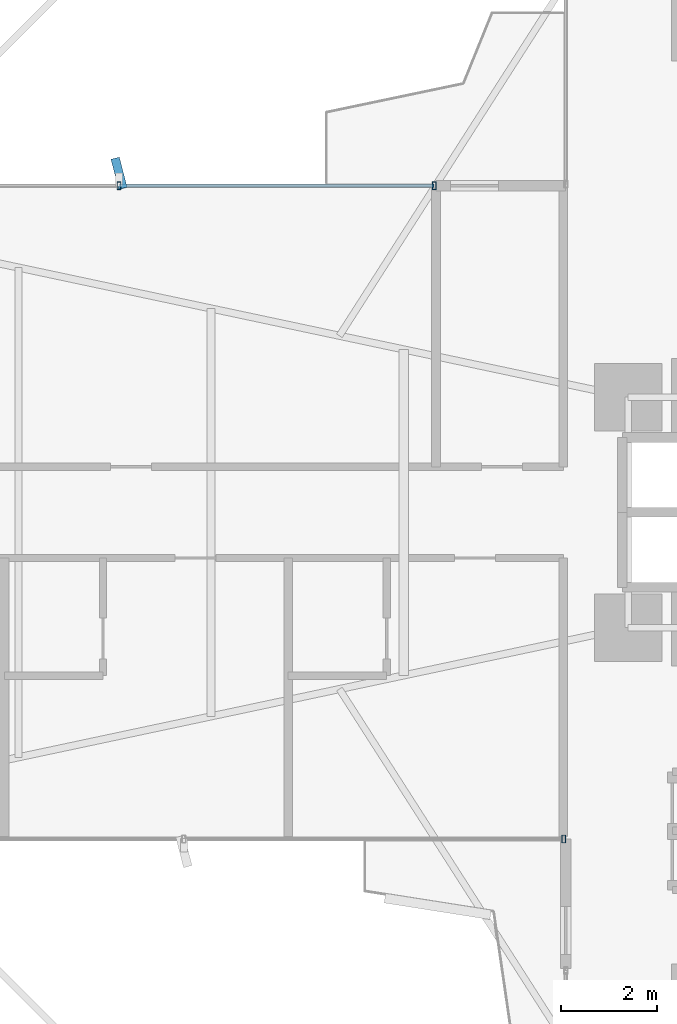
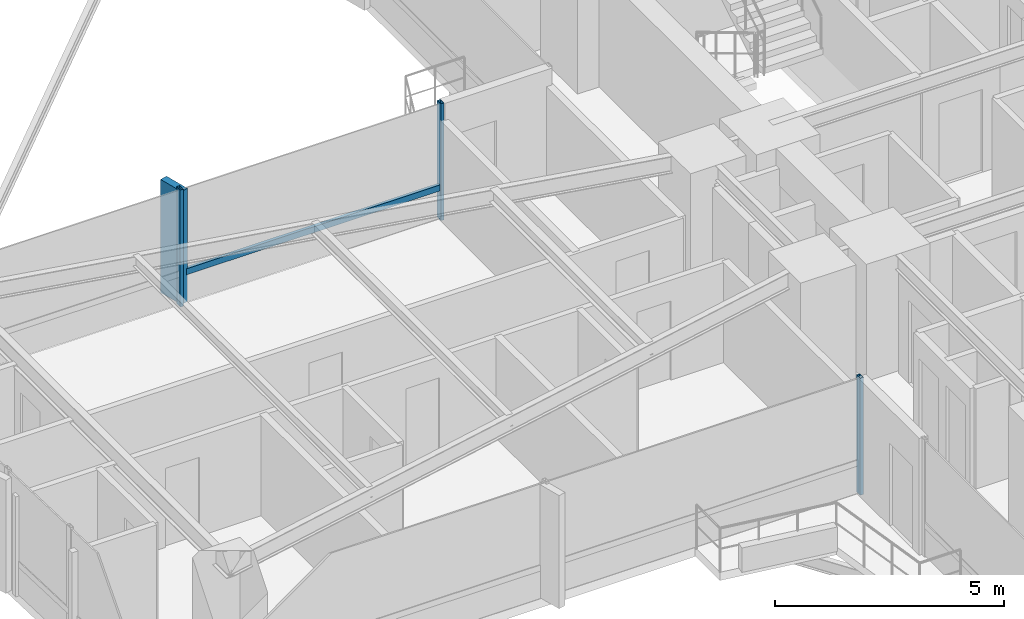
# One storey, part 10 of 25: 5 members, 2 elements without a shape of their own.
"""IFC4 building model written with IfcOpenShell, lengths in metres."""

import ifcopenshell
import ifcopenshell.guid

model = None  # the IFC model being written
_history = None  # IfcOwnerHistory: only IFC2X3 demands one
_inside = {}  # id of a spatial element -> (the spatial element, [elements in it])
_under = {}  # id of a project, library or spatial element -> (it, [spatial elements below it])
_declared = {}  # id of a project -> (the project, [libraries it declares])
_typed = {}  # id of a type object -> (the type object, [elements of that type])
_made_of = {}  # id of a material, layer set ... -> (it, [elements and type objects made of it])


def new_model(schema):
    """Start an empty IFC model of exactly this schema.

    Asked for "IFC4X3", IfcOpenShell would pick the latest addendum, in which some entities
    have other attributes; the version numbers below select the first issue.
    IFC2X3 requires an IfcOwnerHistory on every rooted entity: one is made here for all.
    """
    global model, _history
    if schema == "IFC4X3":
        model = ifcopenshell.file(schema_version=(4, 3, 0, 0))
    else:
        model = ifcopenshell.file(schema=schema)
    _inside.clear()
    _under.clear()
    _declared.clear()
    _typed.clear()
    _made_of.clear()
    _history = None
    if model.schema == "IFC2X3":
        org = make("IfcOrganization", Name="unknown")
        user = make(
            "IfcPersonAndOrganization",
            ThePerson=make("IfcPerson", FamilyName="unknown"),
            TheOrganization=org,
        )
        app = make(
            "IfcApplication",
            ApplicationDeveloper=org,
            Version="unknown",
            ApplicationFullName="unknown",
            ApplicationIdentifier="unknown",
        )
        _history = make(
            "IfcOwnerHistory",
            OwningUser=user,
            OwningApplication=app,
            ChangeAction="ADDED",
            CreationDate=0,
        )
    return model


def make(cls, **values):
    """One entity of the class cls with the attributes given. An attribute that is None is left unset."""
    return model.create_entity(
        cls, **{name: value for name, value in values.items() if value is not None}
    )


def rooted(cls, **values):
    """An entity with a GlobalId (a new one), such as an element, a storey or a relation."""
    return make(cls, GlobalId=ifcopenshell.guid.new(), OwnerHistory=_history, **values)


def si_unit(unit_type, name, prefix=None):
    """IfcSIUnit, for example si_unit("LENGTHUNIT", "METRE", prefix="MILLI")."""
    return make("IfcSIUnit", UnitType=unit_type, Prefix=prefix, Name=name)


def assignment(units):
    """IfcUnitAssignment: the units of a project."""
    return None if units is None else make("IfcUnitAssignment", Units=units)


def point(xyz):
    """IfcCartesianPoint."""
    return None if xyz is None else make("IfcCartesianPoint", Coordinates=xyz)


def direction(xyz):
    """IfcDirection."""
    return None if xyz is None else make("IfcDirection", DirectionRatios=xyz)


def frame(location, z_axis=None, x_axis=None):
    """IfcAxis2Placement3D, a coordinate frame: its origin and axes. An axis left out is left unset."""
    return make(
        "IfcAxis2Placement3D",
        Location=point(location),
        Axis=direction(z_axis),
        RefDirection=direction(x_axis),
    )


def frame_2d(location, x_axis=None):
    """IfcAxis2Placement2D, a coordinate frame in the plane: its origin and x axis."""
    return make(
        "IfcAxis2Placement2D", Location=point(location), RefDirection=direction(x_axis)
    )


def origin():
    """The frame at (0, 0, 0) with its axes left unset."""
    return frame((0.0, 0.0, 0.0))


def origin_2d():
    """The frame at (0, 0) in the plane with its x axis left unset."""
    return frame_2d((0.0, 0.0))


def place(relative_to, where):
    """IfcLocalPlacement: puts the frame where relative to a parent placement (None: the world)."""
    return make(
        "IfcLocalPlacement", PlacementRelTo=relative_to, RelativePlacement=where
    )


def context(
    kind, dimensions, precision=None, world=None, true_north=None, identifier=None
):
    """IfcGeometricRepresentationContext, for example the 3D "Model" context."""
    return make(
        "IfcGeometricRepresentationContext",
        ContextIdentifier=identifier,
        ContextType=kind,
        CoordinateSpaceDimension=dimensions,
        Precision=precision,
        WorldCoordinateSystem=world,
        TrueNorth=true_north,
    )


def subcontext(parent, identifier, kind, view, scale=None):
    """IfcGeometricRepresentationSubContext, for example "Body" below "Model"."""
    return make(
        "IfcGeometricRepresentationSubContext",
        ContextIdentifier=identifier,
        ContextType=kind,
        ParentContext=parent,
        TargetScale=scale,
        TargetView=view,
    )


def project(units=None, contexts=None):
    """IfcProject with its units and contexts."""
    return rooted(
        "IfcProject",
        Name="project",
        RepresentationContexts=contexts,
        UnitsInContext=assignment(units),
    )


def spatial(cls, under=None, at=None, **own):
    """A site, building, storey or space (cls), placed at a placement, below another one or the project."""
    s = rooted(cls, ObjectPlacement=at, **own)
    if under is not None:
        _under.setdefault(under.id(), (under, []))[1].append(s)
    return s


def profile(cls, at=None, kind="AREA", **sizes):
    """A parametric profile (cls). Its sizes go by their IFC names, for example OverallWidth=200.0."""
    return make(cls, ProfileType=kind, Position=at, **sizes)


def rectangle(**sizes):
    """IfcRectangleProfileDef."""
    return profile("IfcRectangleProfileDef", **sizes)


def hollow_rectangle(**sizes):
    """IfcRectangleHollowProfileDef."""
    return profile("IfcRectangleHollowProfileDef", **sizes)


def extrude(swept, where, along, depth):
    """IfcExtrudedAreaSolid: the profile swept, set in the frame where, extruded along a direction by depth."""
    return make(
        "IfcExtrudedAreaSolid",
        SweptArea=swept,
        Position=where,
        ExtrudedDirection=direction(along),
        Depth=depth,
    )


def shape(context_of_items, identifier, shape_type, items):
    """IfcShapeRepresentation: the items that make up one representation, for example the "Body"."""
    return make(
        "IfcShapeRepresentation",
        ContextOfItems=context_of_items,
        RepresentationIdentifier=identifier,
        RepresentationType=shape_type,
        Items=items,
    )


def source(mapping_origin, context_of_items, identifier, shape_type, items):
    """IfcRepresentationMap: a shape defined once, which mapped items show again and again."""
    return make(
        "IfcRepresentationMap",
        MappingOrigin=mapping_origin,
        MappedRepresentation=shape(context_of_items, identifier, shape_type, items),
    )


def transform(
    local_origin,
    x_axis=None,
    y_axis=None,
    z_axis=None,
    scale=None,
    scale2=None,
    scale3=None,
    uniform=True,
):
    """IfcCartesianTransformationOperator3D, or its non-uniform kind. x_axis, y_axis, z_axis: its Axis1, 2, 3."""
    if uniform:
        return make(
            "IfcCartesianTransformationOperator3D",
            Axis1=direction(x_axis),
            Axis2=direction(y_axis),
            LocalOrigin=point(local_origin),
            Scale=scale,
            Axis3=direction(z_axis),
        )
    return make(
        "IfcCartesianTransformationOperator3DnonUniform",
        Axis1=direction(x_axis),
        Axis2=direction(y_axis),
        LocalOrigin=point(local_origin),
        Scale=scale,
        Axis3=direction(z_axis),
        Scale2=scale2,
        Scale3=scale3,
    )


def mapped(mapping_source, mapping_target):
    """IfcMappedItem: shows the shape of a source again, moved by a transform."""
    return make(
        "IfcMappedItem", MappingSource=mapping_source, MappingTarget=mapping_target
    )


def material(Name=None, Category=None):
    """IfcMaterial."""
    return make("IfcMaterial", Name=Name, Category=Category)


def material_profile(
    of_material, cross_section, Name=None, Category=None, Priority=None
):
    """IfcMaterialProfile: a cross section and its material."""
    return make(
        "IfcMaterialProfile",
        Name=Name,
        Material=of_material,
        Profile=cross_section,
        Priority=Priority,
        Category=Category,
    )


def profile_set(profiles, Name=None, composite=None):
    """IfcMaterialProfileSet."""
    return make(
        "IfcMaterialProfileSet",
        Name=Name,
        MaterialProfiles=profiles,
        CompositeProfile=composite,
    )


def made_of(thing, what):
    """Note that an element or type object is made of a material, layer set ...; save() writes the relation."""
    if what is not None:
        _made_of.setdefault(what.id(), (what, []))[1].append(thing)
    return thing


def type_object(cls, material=None, **own):
    """A type object (cls), such as IfcWallType, which elements share."""
    return made_of(rooted(cls, **own), material)


def element(
    cls,
    number,
    at=None,
    inside=None,
    cuts=None,
    type_object=None,
    material=None,
    context=None,
    identifier="Body",
    shape_type=None,
    held_by="IfcProductDefinitionShape",
    body=None,
    shapes=None,
    **own,
):
    """One element of the class cls, such as IfcWall. Its Tag is "e" and its number.

    at: its placement. inside: the storey or other place that contains it. cuts: it is an
    opening in that element (IfcRelVoidsElement). A single representation is given by context,
    identifier, shape_type and body (its items); several are given by shapes. held_by: the class
    of the entity that holds the representations. save() writes the other relations.
    """
    e = rooted(cls, Tag="e%d" % number, ObjectPlacement=at, **own)
    if body is not None:
        shapes = [shape(context, identifier, shape_type, body)]
    if shapes is not None:
        e.Representation = make(held_by, Representations=shapes)
    if inside is not None:
        _inside.setdefault(inside.id(), (inside, []))[1].append(e)
    if cuts is not None:
        rooted(
            "IfcRelVoidsElement", RelatingBuildingElement=cuts, RelatedOpeningElement=e
        )
    if type_object is not None:
        _typed.setdefault(type_object.id(), (type_object, []))[1].append(e)
    return made_of(e, material)


def aggregate(whole, parts):
    """IfcRelAggregates: a whole, such as a stair, and the parts it consists of."""
    return rooted("IfcRelAggregates", RelatingObject=whole, RelatedObjects=parts)


def save(model, path):
    """Write the relations noted so far, then the file.

    IfcRelAggregates (storeys below a building ...), IfcRelContainedInSpatialStructure (elements
    in a storey), IfcRelDefinesByType, IfcRelAssociatesMaterial and IfcRelDeclares: one each for
    every whole, place, type object, material and project.
    """
    for whole, parts in _under.values():
        aggregate(whole, parts)
    for where, things in _inside.values():
        rooted(
            "IfcRelContainedInSpatialStructure",
            RelatedElements=things,
            RelatingStructure=where,
        )
    for kind, things in _typed.values():
        rooted("IfcRelDefinesByType", RelatedObjects=things, RelatingType=kind)
    for what, things in _made_of.values():
        rooted("IfcRelAssociatesMaterial", RelatedObjects=things, RelatingMaterial=what)
    for by, libraries in _declared.values():
        rooted("IfcRelDeclares", RelatingContext=by, RelatedDefinitions=libraries)
    model.write(path)


model = new_model("IFC4")

# Units and contexts
model_context = context("Model", 3, precision=1e-05, world=origin(), true_north=direction((0.0, 1.0)))
body_context = subcontext(model_context, "Body", "Model", "MODEL_VIEW")
ifc_project = project(units=[si_unit("LENGTHUNIT", "METRE"), si_unit("AREAUNIT", "SQUARE_METRE"), si_unit("VOLUMEUNIT", "CUBIC_METRE"), si_unit("PLANEANGLEUNIT", "RADIAN"), si_unit("MASSUNIT", "GRAM", prefix="KILO")], contexts=[model_context])

# Site, building, storey
site_placement = place(None, origin())
site = spatial("IfcSite", under=ifc_project, at=site_placement, CompositionType="ELEMENT")
building_placement = place(site_placement, origin())
building = spatial("IfcBuilding", under=site, at=building_placement, Name="Sahyath Konkavel Grand Hotel", CompositionType="ELEMENT")
storey_placement = place(building_placement, frame((0.0, 0.0, 57.75)))
storey = spatial("IfcBuildingStorey", under=building, at=storey_placement, Name="L15", CompositionType="ELEMENT", Elevation=57.75)

# Curtain wall, members
ifc_material_1 = material(Name="Anodised Bronze Aluminium & Low-E Glazing", Category="aluminium")
curtain_wall_type = type_object("IfcCurtainWallType", Name="CW-ZONE1", PredefinedType="NOTDEFINED", material=ifc_material_1)
curtain_wall_1_placement = place(storey_placement, origin())
curtain_wall_1 = element("IfcCurtainWall", 1, at=curtain_wall_1_placement, inside=storey, type_object=curtain_wall_type, Name="L15 Unitised Curtain Wall F16", PredefinedType="NOTDEFINED")
ifc_material_2 = material(Name="Warm Buff Sandstone Cladding on Concrete C50/60", Category="masonry")
ifc_material_profile_1 = material_profile(ifc_material_2, rectangle(XDim=0.179931640625, YDim=0.64990234375, at=origin_2d()), Name="FIN 180x650")
ifc_profile_set_1 = profile_set([ifc_material_profile_1], Name="Warm Buff Sandstone Cladding on Concrete C50/60")
member_type_1 = type_object("IfcMemberType", Name="FIN-SANDSTONE-650", PredefinedType="MULLION", material=ifc_profile_set_1)
shared_shape_1 = source(origin(), body_context, "Body", "SweptSolid", [
    extrude(rectangle(XDim=0.179931640625, YDim=0.64990234375, at=origin_2d()), origin(), (0.0, 0.0, 1.0), 3.010009765625),
])
member_1_placement = place(storey_placement, frame((-16.10009765625, 7.06005859375, 0.050048828125), z_axis=(0.0, 0.0, 1.0), x_axis=(0.967884912253, 0.251393708421, 0.0)))
member_1 = element("IfcMember", 2, at=member_1_placement, type_object=member_type_1, Name="L15 Sandstone Vertical Solar Fin FIN F16-1", PredefinedType="MULLION", context=body_context, shape_type="MappedRepresentation", body=[
    mapped(shared_shape_1, transform((0.0, 0.0, 0.0), scale=1.0)),
])
ifc_material_3 = material(Name="Anodised Bronze Aluminium", Category="aluminium")
ifc_material_profile_2 = material_profile(ifc_material_3, hollow_rectangle(XDim=0.080078125, YDim=0.159912109375, WallThickness=0.006103515625, at=origin_2d()), Name="RHS 160x80x6")
ifc_profile_set_2 = profile_set([ifc_material_profile_2], Name="Anodised Bronze Aluminium")
member_type_2 = type_object("IfcMemberType", Name="CW-MUL-160", PredefinedType="MULLION", material=ifc_profile_set_2)
shared_shape_2 = source(origin(), body_context, "Body", "SweptSolid", [
    extrude(hollow_rectangle(XDim=0.080078125, YDim=0.159912109375, WallThickness=0.006103515625, at=origin_2d()), origin(), (0.0, 0.0, 1.0), 3.110107421875),
])
member_2_placement = place(storey_placement, frame((-9.5400390625, 6.800048828125, 0.0), z_axis=(0.0, 0.0, 1.0), x_axis=(1.0, 0.0, 0.0)))
member_2 = element("IfcMember", 3, at=member_2_placement, type_object=member_type_2, Name="L15 Curtain Wall Mullion F16-0", PredefinedType="MULLION", context=body_context, shape_type="MappedRepresentation", body=[
    mapped(shared_shape_2, transform((0.0, 0.0, 0.0), scale=1.0)),
])
member_3_placement = place(storey_placement, frame((-16.10009765625, 6.800048828125, 0.0), z_axis=(0.0, 0.0, 1.0), x_axis=(1.0, 0.0, 0.0)))
member_3 = element("IfcMember", 4, at=member_3_placement, type_object=member_type_2, Name="L15 Curtain Wall Mullion F16-1", PredefinedType="MULLION", context=body_context, shape_type="MappedRepresentation", body=[
    mapped(shared_shape_2, transform((0.0, 0.0, 0.0), scale=1.0)),
])

# Curtain wall, member
curtain_wall_2_placement = place(storey_placement, origin())
curtain_wall_2 = element("IfcCurtainWall", 5, at=curtain_wall_2_placement, inside=storey, type_object=curtain_wall_type, Name="L15 Unitised Curtain Wall F23", PredefinedType="NOTDEFINED")
member_4_placement = place(storey_placement, frame((-6.840087890625, -6.800048828125, 0.0), z_axis=(0.0, 0.0, 1.0), x_axis=(1.0, 0.0, 0.0)))
member_4 = element("IfcMember", 6, at=member_4_placement, type_object=member_type_2, Name="L15 Curtain Wall Mullion F23-2", PredefinedType="MULLION", context=body_context, shape_type="MappedRepresentation", body=[
    mapped(shared_shape_2, transform((0.0, 0.0, 0.0), scale=1.0)),
])
aggregate(curtain_wall_2, [member_4])

# Member
ifc_material_profile_3 = material_profile(ifc_material_3, hollow_rectangle(XDim=0.080078125, YDim=0.159912109375, WallThickness=0.006103515625, at=origin_2d()), Name="RHS 160x80x6")
ifc_profile_set_3 = profile_set([ifc_material_profile_3], Name="Anodised Bronze Aluminium")
member_type_3 = type_object("IfcMemberType", Name="CW-TRN-160", PredefinedType="USERDEFINED", material=ifc_profile_set_3)
shared_shape_3 = source(origin(), body_context, "Body", "SweptSolid", [
    extrude(hollow_rectangle(XDim=0.080078125, YDim=0.159912109375, WallThickness=0.006103515625, at=origin_2d()), origin(), (0.0, 0.0, 1.0), 6.56005859375),
])
member_5_placement = place(storey_placement, frame((-9.5400390625, 6.800048828125, 0.85009765625), z_axis=(-1.0, 0.0, 0.0), x_axis=(0.0, -1.0, 0.0)))
member_5 = element("IfcMember", 7, at=member_5_placement, type_object=member_type_3, Name="L15 Curtain Wall Transom F16-0-spandrel", ObjectType="TRANSOM", PredefinedType="USERDEFINED", context=body_context, shape_type="MappedRepresentation", body=[
    mapped(shared_shape_3, transform((0.0, 0.0, 0.0), scale=1.0)),
])

aggregate(curtain_wall_1, [member_2, member_3, member_1, member_5])

save(model, "model.ifc")
